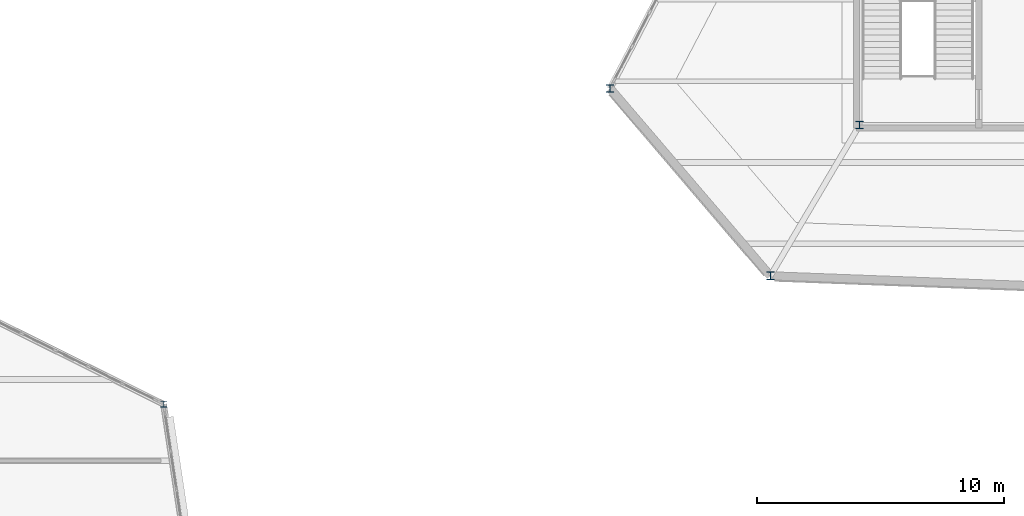
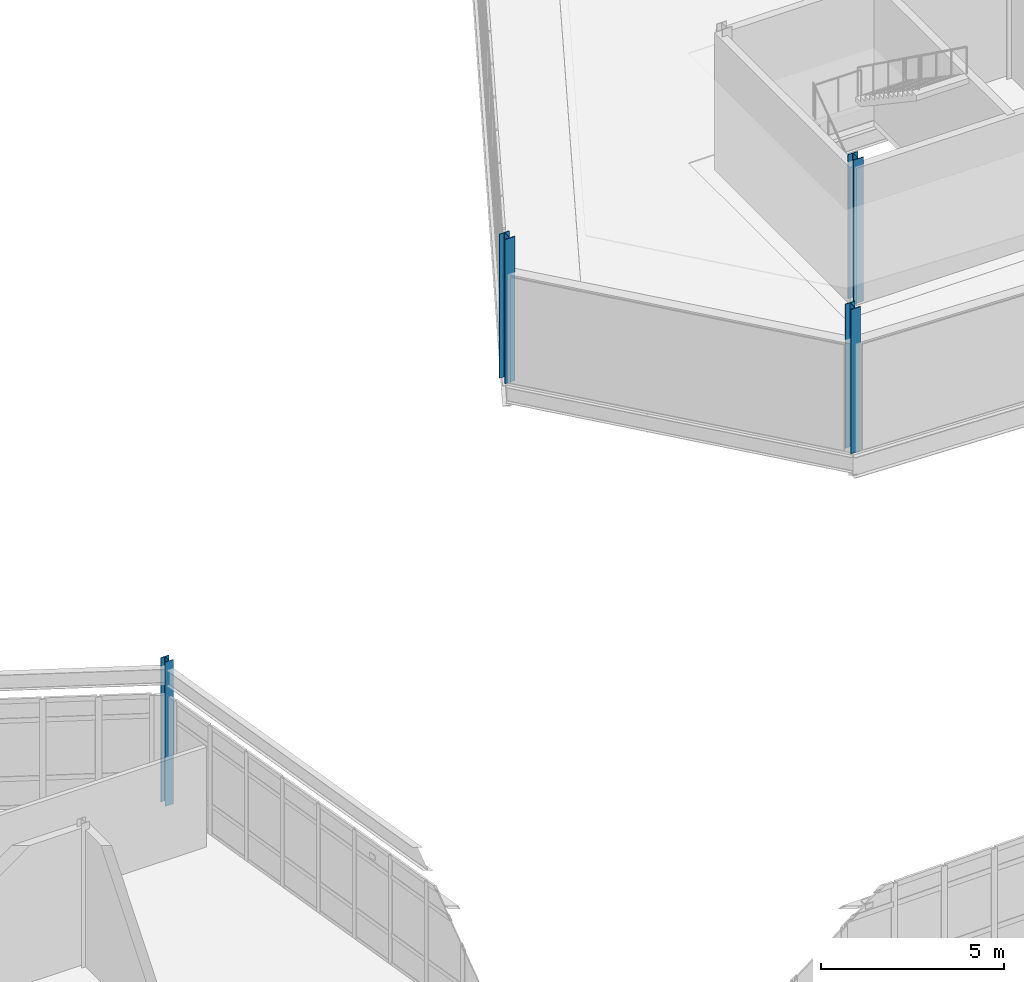
# One storey, part 10 of 76: 4 columns.
"""IFC4 building model written with IfcOpenShell, lengths in metres."""

import ifcopenshell
import ifcopenshell.guid

model = None  # the IFC model being written
_history = None  # IfcOwnerHistory: only IFC2X3 demands one
_inside = {}  # id of a spatial element -> (the spatial element, [elements in it])
_under = {}  # id of a project, library or spatial element -> (it, [spatial elements below it])
_declared = {}  # id of a project -> (the project, [libraries it declares])
_typed = {}  # id of a type object -> (the type object, [elements of that type])
_made_of = {}  # id of a material, layer set ... -> (it, [elements and type objects made of it])


def new_model(schema):
    """Start an empty IFC model of exactly this schema.

    Asked for "IFC4X3", IfcOpenShell would pick the latest addendum, in which some entities
    have other attributes; the version numbers below select the first issue.
    IFC2X3 requires an IfcOwnerHistory on every rooted entity: one is made here for all.
    """
    global model, _history
    if schema == "IFC4X3":
        model = ifcopenshell.file(schema_version=(4, 3, 0, 0))
    else:
        model = ifcopenshell.file(schema=schema)
    _inside.clear()
    _under.clear()
    _declared.clear()
    _typed.clear()
    _made_of.clear()
    _history = None
    if model.schema == "IFC2X3":
        org = make("IfcOrganization", Name="unknown")
        user = make(
            "IfcPersonAndOrganization",
            ThePerson=make("IfcPerson", FamilyName="unknown"),
            TheOrganization=org,
        )
        app = make(
            "IfcApplication",
            ApplicationDeveloper=org,
            Version="unknown",
            ApplicationFullName="unknown",
            ApplicationIdentifier="unknown",
        )
        _history = make(
            "IfcOwnerHistory",
            OwningUser=user,
            OwningApplication=app,
            ChangeAction="ADDED",
            CreationDate=0,
        )
    return model


def make(cls, **values):
    """One entity of the class cls with the attributes given. An attribute that is None is left unset."""
    return model.create_entity(
        cls, **{name: value for name, value in values.items() if value is not None}
    )


def rooted(cls, **values):
    """An entity with a GlobalId (a new one), such as an element, a storey or a relation."""
    return make(cls, GlobalId=ifcopenshell.guid.new(), OwnerHistory=_history, **values)


def si_unit(unit_type, name, prefix=None):
    """IfcSIUnit, for example si_unit("LENGTHUNIT", "METRE", prefix="MILLI")."""
    return make("IfcSIUnit", UnitType=unit_type, Prefix=prefix, Name=name)


def assignment(units):
    """IfcUnitAssignment: the units of a project."""
    return None if units is None else make("IfcUnitAssignment", Units=units)


def point(xyz):
    """IfcCartesianPoint."""
    return None if xyz is None else make("IfcCartesianPoint", Coordinates=xyz)


def direction(xyz):
    """IfcDirection."""
    return None if xyz is None else make("IfcDirection", DirectionRatios=xyz)


def frame(location, z_axis=None, x_axis=None):
    """IfcAxis2Placement3D, a coordinate frame: its origin and axes. An axis left out is left unset."""
    return make(
        "IfcAxis2Placement3D",
        Location=point(location),
        Axis=direction(z_axis),
        RefDirection=direction(x_axis),
    )


def frame_2d(location, x_axis=None):
    """IfcAxis2Placement2D, a coordinate frame in the plane: its origin and x axis."""
    return make(
        "IfcAxis2Placement2D", Location=point(location), RefDirection=direction(x_axis)
    )


def origin():
    """The frame at (0, 0, 0) with its axes left unset."""
    return frame((0.0, 0.0, 0.0))


def origin_2d():
    """The frame at (0, 0) in the plane with its x axis left unset."""
    return frame_2d((0.0, 0.0))


def place(relative_to, where):
    """IfcLocalPlacement: puts the frame where relative to a parent placement (None: the world)."""
    return make(
        "IfcLocalPlacement", PlacementRelTo=relative_to, RelativePlacement=where
    )


def context(
    kind, dimensions, precision=None, world=None, true_north=None, identifier=None
):
    """IfcGeometricRepresentationContext, for example the 3D "Model" context."""
    return make(
        "IfcGeometricRepresentationContext",
        ContextIdentifier=identifier,
        ContextType=kind,
        CoordinateSpaceDimension=dimensions,
        Precision=precision,
        WorldCoordinateSystem=world,
        TrueNorth=true_north,
    )


def subcontext(parent, identifier, kind, view, scale=None):
    """IfcGeometricRepresentationSubContext, for example "Body" below "Model"."""
    return make(
        "IfcGeometricRepresentationSubContext",
        ContextIdentifier=identifier,
        ContextType=kind,
        ParentContext=parent,
        TargetScale=scale,
        TargetView=view,
    )


def project(units=None, contexts=None):
    """IfcProject with its units and contexts."""
    return rooted(
        "IfcProject",
        Name="project",
        RepresentationContexts=contexts,
        UnitsInContext=assignment(units),
    )


def spatial(cls, under=None, at=None, **own):
    """A site, building, storey or space (cls), placed at a placement, below another one or the project."""
    s = rooted(cls, ObjectPlacement=at, **own)
    if under is not None:
        _under.setdefault(under.id(), (under, []))[1].append(s)
    return s


def profile(cls, at=None, kind="AREA", **sizes):
    """A parametric profile (cls). Its sizes go by their IFC names, for example OverallWidth=200.0."""
    return make(cls, ProfileType=kind, Position=at, **sizes)


def i_section(**sizes):
    """IfcIShapeProfileDef."""
    return profile("IfcIShapeProfileDef", **sizes)


def extrude(swept, where, along, depth):
    """IfcExtrudedAreaSolid: the profile swept, set in the frame where, extruded along a direction by depth."""
    return make(
        "IfcExtrudedAreaSolid",
        SweptArea=swept,
        Position=where,
        ExtrudedDirection=direction(along),
        Depth=depth,
    )


def shape(context_of_items, identifier, shape_type, items):
    """IfcShapeRepresentation: the items that make up one representation, for example the "Body"."""
    return make(
        "IfcShapeRepresentation",
        ContextOfItems=context_of_items,
        RepresentationIdentifier=identifier,
        RepresentationType=shape_type,
        Items=items,
    )


def material(Name=None, Category=None):
    """IfcMaterial."""
    return make("IfcMaterial", Name=Name, Category=Category)


def material_profile(
    of_material, cross_section, Name=None, Category=None, Priority=None
):
    """IfcMaterialProfile: a cross section and its material."""
    return make(
        "IfcMaterialProfile",
        Name=Name,
        Material=of_material,
        Profile=cross_section,
        Priority=Priority,
        Category=Category,
    )


def profile_set(profiles, Name=None, composite=None):
    """IfcMaterialProfileSet."""
    return make(
        "IfcMaterialProfileSet",
        Name=Name,
        MaterialProfiles=profiles,
        CompositeProfile=composite,
    )


def made_of(thing, what):
    """Note that an element or type object is made of a material, layer set ...; save() writes the relation."""
    if what is not None:
        _made_of.setdefault(what.id(), (what, []))[1].append(thing)
    return thing


def type_object(cls, material=None, **own):
    """A type object (cls), such as IfcWallType, which elements share."""
    return made_of(rooted(cls, **own), material)


def element(
    cls,
    number,
    at=None,
    inside=None,
    cuts=None,
    type_object=None,
    material=None,
    context=None,
    identifier="Body",
    shape_type=None,
    held_by="IfcProductDefinitionShape",
    body=None,
    shapes=None,
    **own,
):
    """One element of the class cls, such as IfcWall. Its Tag is "e" and its number.

    at: its placement. inside: the storey or other place that contains it. cuts: it is an
    opening in that element (IfcRelVoidsElement). A single representation is given by context,
    identifier, shape_type and body (its items); several are given by shapes. held_by: the class
    of the entity that holds the representations. save() writes the other relations.
    """
    e = rooted(cls, Tag="e%d" % number, ObjectPlacement=at, **own)
    if body is not None:
        shapes = [shape(context, identifier, shape_type, body)]
    if shapes is not None:
        e.Representation = make(held_by, Representations=shapes)
    if inside is not None:
        _inside.setdefault(inside.id(), (inside, []))[1].append(e)
    if cuts is not None:
        rooted(
            "IfcRelVoidsElement", RelatingBuildingElement=cuts, RelatedOpeningElement=e
        )
    if type_object is not None:
        _typed.setdefault(type_object.id(), (type_object, []))[1].append(e)
    return made_of(e, material)


def aggregate(whole, parts):
    """IfcRelAggregates: a whole, such as a stair, and the parts it consists of."""
    return rooted("IfcRelAggregates", RelatingObject=whole, RelatedObjects=parts)


def save(model, path):
    """Write the relations noted so far, then the file.

    IfcRelAggregates (storeys below a building ...), IfcRelContainedInSpatialStructure (elements
    in a storey), IfcRelDefinesByType, IfcRelAssociatesMaterial and IfcRelDeclares: one each for
    every whole, place, type object, material and project.
    """
    for whole, parts in _under.values():
        aggregate(whole, parts)
    for where, things in _inside.values():
        rooted(
            "IfcRelContainedInSpatialStructure",
            RelatedElements=things,
            RelatingStructure=where,
        )
    for kind, things in _typed.values():
        rooted("IfcRelDefinesByType", RelatedObjects=things, RelatingType=kind)
    for what, things in _made_of.values():
        rooted("IfcRelAssociatesMaterial", RelatedObjects=things, RelatingMaterial=what)
    for by, libraries in _declared.values():
        rooted("IfcRelDeclares", RelatingContext=by, RelatedDefinitions=libraries)
    model.write(path)


model = new_model("IFC4")

# Units and contexts
model_context = context("Model", 3, precision=1e-05, world=origin(), true_north=direction((0.0, 1.0)))
body_context = subcontext(model_context, "Body", "Model", "MODEL_VIEW")
ifc_project = project(units=[si_unit("LENGTHUNIT", "METRE"), si_unit("AREAUNIT", "SQUARE_METRE"), si_unit("VOLUMEUNIT", "CUBIC_METRE"), si_unit("PLANEANGLEUNIT", "RADIAN"), si_unit("MASSUNIT", "GRAM", prefix="KILO")], contexts=[model_context])

# Site, building, storey
site_placement = place(None, origin())
site = spatial("IfcSite", under=ifc_project, at=site_placement, CompositionType="ELEMENT")
building_placement = place(site_placement, origin())
building = spatial("IfcBuilding", under=site, at=building_placement, Name="Tameran Prism Museum", CompositionType="ELEMENT")
storey_placement = place(building_placement, frame((0.0, 0.0, 15.0)))
storey = spatial("IfcBuildingStorey", under=building, at=storey_placement, Name="L03", CompositionType="ELEMENT", Elevation=15.0)

# Columns
ifc_material_1 = material(Name="Steel Grade 300PLUS (300 MPa)", Category="steel")
ifc_material_profile_1 = material_profile(ifc_material_1, i_section(OverallWidth=0.25390625, OverallDepth=0.25390625, WebThickness=0.008544921875, FlangeThickness=0.01416015625, FilletRadius=0.0126953125, at=origin_2d()))
ifc_profile_set_1 = profile_set([ifc_material_profile_1])
column_type_1 = type_object("IfcColumnType", Name="COL-UC250B", PredefinedType="COLUMN", material=ifc_profile_set_1)
column_placement = place(storey_placement, frame((74.800048828125, 66.10009765625, 0.0), z_axis=(0.0, 0.0, 1.0), x_axis=(1.0, 0.0, 0.0)))
element("IfcColumn", 1, at=column_placement, inside=storey, type_object=column_type_1, Name="Column CV-33 L03", PredefinedType="COLUMN", context=body_context, shape_type="SweptSolid", body=[
    extrude(i_section(OverallWidth=0.25390625, OverallDepth=0.25390625, WebThickness=0.008544921875, FlangeThickness=0.01416015625, FilletRadius=0.0126953125, at=origin_2d()), origin(), (0.0, 0.0, 1.0), 4.800048828125),
])
ifc_material_2 = material(Name="Steel Grade 350 (350 MPa)", Category="steel")
ifc_material_profile_2 = material_profile(ifc_material_2, i_section(OverallWidth=0.30908203125, OverallDepth=0.321044921875, WebThickness=0.013916015625, FlangeThickness=0.021728515625, FilletRadius=0.0166015625, at=origin_2d()))
ifc_profile_set_2 = profile_set([ifc_material_profile_2])
column_type_2 = type_object("IfcColumnType", Name="COL-UC310B", PredefinedType="COLUMN", material=ifc_profile_set_2)
for number, where, z_axis, x_axis, name in (
    (2, (92.89990234375, 78.89990234375, 0.0), (0.0, 0.0, 1.0), (1.0, 0.0, 0.0), "Column CV-37 L03"),
    (3, (99.39990234375, 71.300048828125, 0.0), (0.0, 0.0, 1.0), (1.0, 0.0, 0.0), "Column CV-40 L03"),
    (4, (103.02001953125, 77.419921875, 0.0), (0.0, 0.0, 1.0), (1.0, 0.0, 0.0), "Column CC-1-1 L03"),
):
    element("IfcColumn", number, at=place(storey_placement, frame(where, z_axis=z_axis, x_axis=x_axis)), inside=storey, type_object=column_type_2, Name=name, PredefinedType="COLUMN", context=body_context, shape_type="SweptSolid", body=[
        extrude(i_section(OverallWidth=0.30908203125, OverallDepth=0.321044921875, WebThickness=0.013916015625, FlangeThickness=0.021728515625, FilletRadius=0.0166015625, at=origin_2d()), origin(), (0.0, 0.0, 1.0), 4.800048828125),
    ])

save(model, "model.ifc")
